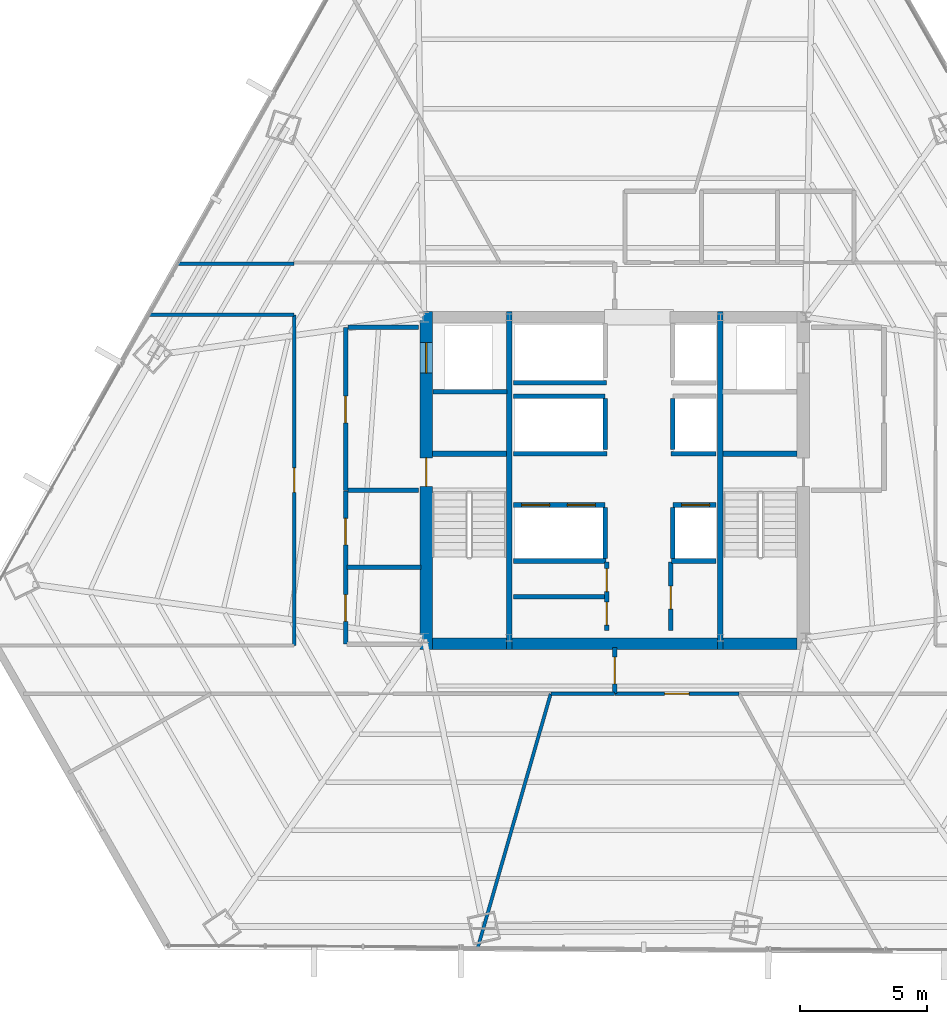
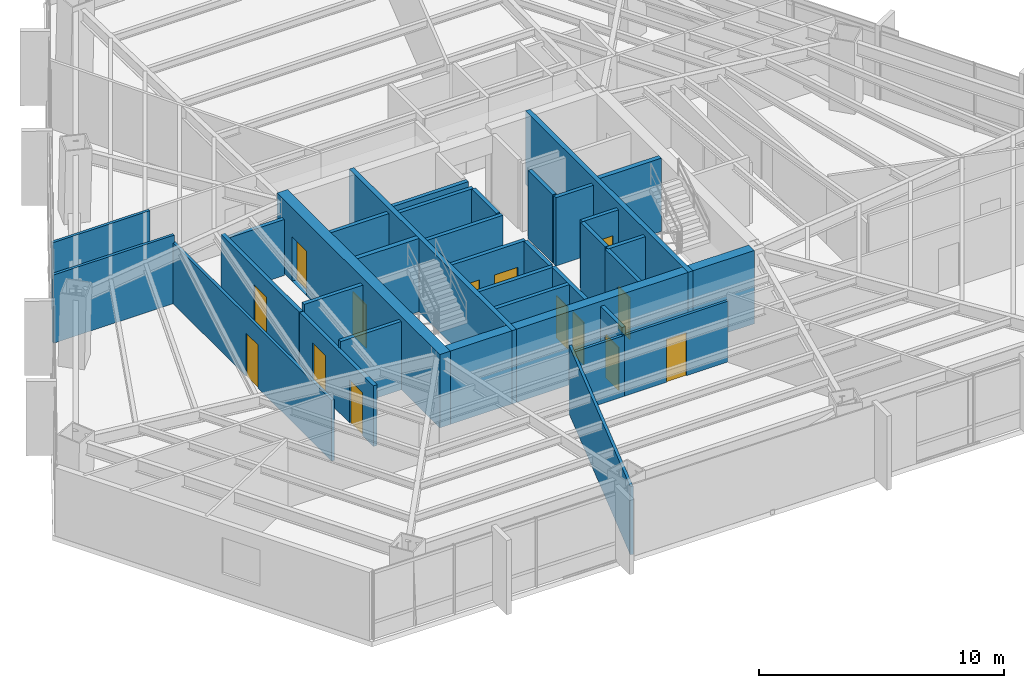
# One storey, part 30 of 35: 36 walls, 14 doors, 14 openings.
"""IFC4 building model written with IfcOpenShell, lengths in metres."""

from ifc_helpers import new_model, si_unit, direction, frame, frame_2d, origin, place, context, subcontext, project, spatial, rectangle, extrude, material, layer, layer_set, type_object, element, fill, save


model = new_model("IFC4")

# Units and contexts
model_context = context("Model", 3, precision=1e-05, world=origin(), true_north=direction((0.0, 1.0)))
body_context = subcontext(model_context, "Body", "Model", "MODEL_VIEW")
ifc_project = project(units=[si_unit("LENGTHUNIT", "METRE"), si_unit("AREAUNIT", "SQUARE_METRE"), si_unit("VOLUMEUNIT", "CUBIC_METRE"), si_unit("PLANEANGLEUNIT", "RADIAN"), si_unit("MASSUNIT", "GRAM", prefix="KILO")], contexts=[model_context])

# Site, building, storey
site_placement = place(None, origin())
site = spatial("IfcSite", under=ifc_project, at=site_placement, CompositionType="ELEMENT")
building_placement = place(site_placement, origin())
building = spatial("IfcBuilding", under=site, at=building_placement, Name="Caelisora Broadcast Tower", CompositionType="ELEMENT")
storey_placement = place(building_placement, frame((0.0, 0.0, 87.14990234375)))
storey = spatial("IfcBuildingStorey", under=building, at=storey_placement, Name="L22", CompositionType="ELEMENT", Elevation=87.14990234375)

# Wall, openings, doors
ifc_material_1 = material(Name="Concrete 50 MPa (AS 3600 S50)", Category="concrete")
ifc_layer_1 = layer(ifc_material_1, 0.5, Name="Concrete 50 MPa (AS 3600 S50)")
ifc_layer_set_1 = layer_set([ifc_layer_1], Name="Concrete 50 MPa (AS 3600 S50)")
wall_type_1 = type_object("IfcWallType", Name="CW2", PredefinedType="SHEAR", material=ifc_layer_set_1)
wall_1_placement = place(storey_placement, frame((30.590087890625, 16.949951171875, 0.0), z_axis=(0.0, 0.0, 1.0), x_axis=(0.0, 1.0, 0.0)))
wall_1 = element("IfcWall", 1, at=wall_1_placement, inside=storey, type_object=wall_type_1, Name="L22 core shear wall CW2", PredefinedType="SHEAR", context=body_context, shape_type="SweptSolid", body=[
    extrude(rectangle(XDim=13.275146484375, YDim=0.5, at=frame_2d((6.6376953125, 0.0))), origin(), (0.0, 0.0, 1.0), 3.650146484375),
])
opening_1_placement = place(wall_1_placement, frame((6.39990234375, 0.0, 0.0)))
opening_1 = element("IfcOpeningElement", 2, at=opening_1_placement, cuts=wall_1, Name="Opening FD04", PredefinedType="OPENING", context=body_context, shape_type="SweptSolid", body=[
    extrude(rectangle(XDim=1.1201171875, YDim=2.14990234375, at=frame_2d((0.56005859375, 1.074951171875))), frame((0.0, 0.261962890625, 0.0), z_axis=(0.0, -1.0, 0.0), x_axis=(1.0, 0.0, 0.0)), (0.0, 0.0, 1.0), 0.52392578125),
])
opening_2_placement = place(wall_1_placement, frame((10.85009765625, 0.0, 0.0)))
opening_2 = element("IfcOpeningElement", 3, at=opening_2_placement, cuts=wall_1, Name="Opening LD04", PredefinedType="OPENING", context=body_context, shape_type="SweptSolid", body=[
    extrude(rectangle(XDim=1.199951171875, YDim=2.199951171875, at=frame_2d((0.60009765625, 1.10009765625))), frame((0.0, 0.261962890625, 0.0), z_axis=(0.0, -1.0, 0.0), x_axis=(1.0, 0.0, 0.0)), (0.0, 0.0, 1.0), 0.52392578125),
])
ifc_material_2 = material(Name="Pressurised Fire-Isolated Stair Door", Category="steel")
door_type_1 = type_object("IfcDoorType", Name="FD04", OperationType="NOTDEFINED", PredefinedType="DOOR", material=ifc_material_2)
door_1_placement = place(opening_1_placement, origin())
door_1 = element("IfcDoor", 4, at=door_1_placement, inside=storey, type_object=door_type_1, Name="L22 door FD04 (L22-DR-ST1)", OperationType="SINGLE_SWING_LEFT", OverallHeight=2.14990234375, OverallWidth=1.1201171875, PredefinedType="DOOR", context=body_context, shape_type="SweptSolid", body=[
    extrude(rectangle(XDim=1.1201171875, YDim=2.14990234375, at=frame_2d((0.56005859375, 1.074951171875))), frame((0.0, 0.02490234375, 0.0), z_axis=(0.0, -1.0, 0.0), x_axis=(1.0, 0.0, 0.0)), (0.0, 0.0, 1.0), 0.050048828125),
])
fill(opening_1, door_1)
ifc_material_3 = material(Name="Emergency Firefighting Lift Sliding Landing Door", Category="steel")
door_type_2 = type_object("IfcDoorType", Name="LD04", OperationType="NOTDEFINED", PredefinedType="DOOR", material=ifc_material_3)
door_2_placement = place(opening_2_placement, origin())
door_2 = element("IfcDoor", 5, at=door_2_placement, inside=storey, type_object=door_type_2, Name="L22 door LD04 (L22-LD-FFL1)", OperationType="SLIDING_TO_LEFT", OverallHeight=2.199951171875, OverallWidth=1.199951171875, PredefinedType="DOOR", context=body_context, shape_type="SweptSolid", body=[
    extrude(rectangle(XDim=1.199951171875, YDim=2.199951171875, at=frame_2d((0.60009765625, 1.10009765625))), frame((0.0, 0.02490234375, 0.0), z_axis=(0.0, -1.0, 0.0), x_axis=(1.0, 0.0, 0.0)), (0.0, 0.0, 1.0), 0.050048828125),
])
fill(opening_2, door_2)

# Walls
ifc_layer_2 = layer(ifc_material_1, 0.449951171875, Name="Concrete 50 MPa (AS 3600 S50)")
ifc_layer_set_2 = layer_set([ifc_layer_2], Name="Concrete 50 MPa (AS 3600 S50)")
wall_type_2 = type_object("IfcWallType", Name="CW5", PredefinedType="SHEAR", material=ifc_layer_set_2)
wall_2_placement = place(storey_placement, frame((30.840087890625, 17.175048828125, 0.0), z_axis=(0.0, 0.0, 1.0), x_axis=(1.0, 0.0, 0.0)))
element("IfcWall", 6, at=wall_2_placement, inside=storey, type_object=wall_type_2, Name="L22 core shear wall CW5", PredefinedType="SHEAR", context=body_context, shape_type="SweptSolid", body=[
    extrude(rectangle(XDim=2.89990234375, YDim=0.449951171875, at=frame_2d((1.449951171875, 0.0))), origin(), (0.0, 0.0, 1.0), 3.650146484375),
])
wall_3_placement = place(storey_placement, frame((33.9599609375, 17.175048828125, 0.0), z_axis=(0.0, 0.0, 1.0), x_axis=(1.0, 0.0, 0.0)))
element("IfcWall", 7, at=wall_3_placement, inside=storey, type_object=wall_type_2, Name="L22 core shear wall CW5", PredefinedType="SHEAR", context=body_context, shape_type="SweptSolid", body=[
    extrude(rectangle(XDim=8.080078125, YDim=0.449951171875, at=frame_2d((4.0400390625, 0.0))), origin(), (0.0, 0.0, 1.0), 3.650146484375),
])
wall_4_placement = place(storey_placement, frame((42.260009765625, 17.175048828125, 0.0), z_axis=(0.0, 0.0, 1.0), x_axis=(1.0, 0.0, 0.0)))
element("IfcWall", 8, at=wall_4_placement, inside=storey, type_object=wall_type_2, Name="L22 core shear wall CW5", PredefinedType="SHEAR", context=body_context, shape_type="SweptSolid", body=[
    extrude(rectangle(XDim=2.89990234375, YDim=0.449951171875, at=frame_2d((1.449951171875, 0.0))), origin(), (0.0, 0.0, 1.0), 3.650146484375),
])
ifc_layer_3 = layer(ifc_material_1, 0.219970703125, Name="Concrete 50 MPa (AS 3600 S50)")
ifc_layer_set_3 = layer_set([ifc_layer_3], Name="Concrete 50 MPa (AS 3600 S50)")
wall_type_3 = type_object("IfcWallType", Name="CW7", PredefinedType="SHEAR", material=ifc_layer_set_3)
for number, where, z_axis, x_axis, name in (
    (9, (33.85009765625, 16.949951171875, 0.0), (0.0, 0.0, 1.0), (0.0, 1.0, 0.0), "L22 core shear wall CW7"),
    (10, (42.14990234375, 16.949951171875, 0.0), (0.0, 0.0, 1.0), (0.0, 1.0, 0.0), "L22 core shear wall CW7"),
):
    element("IfcWall", number, at=place(storey_placement, frame(where, z_axis=z_axis, x_axis=x_axis)), inside=storey, type_object=wall_type_3, Name=name, PredefinedType="SHEAR", context=body_context, shape_type="SweptSolid", body=[
        extrude(rectangle(XDim=13.275146484375, YDim=0.219970703125, at=frame_2d((6.6376953125, 0.0))), origin(), (0.0, 0.0, 1.0), 3.650146484375),
    ])
for number, where, z_axis, x_axis, name in (
    (11, (30.840087890625, 24.639892578125, 0.0), (0.0, 0.0, 1.0), (1.0, 0.0, 0.0), "L22 core shear wall CW7"),
    (12, (42.260009765625, 24.639892578125, 0.0), (0.0, 0.0, 1.0), (1.0, 0.0, 0.0), "L22 core shear wall CW7"),
):
    element("IfcWall", number, at=place(storey_placement, frame(where, z_axis=z_axis, x_axis=x_axis)), inside=storey, type_object=wall_type_3, Name=name, PredefinedType="SHEAR", context=body_context, shape_type="SweptSolid", body=[
        extrude(rectangle(XDim=2.89990234375, YDim=0.219970703125, at=frame_2d((1.449951171875, 0.0))), origin(), (0.0, 0.0, 1.0), 3.650146484375),
    ])

# Wall, openings, doors
ifc_material_4 = material(Name="Fire-Rated Gypsum Shaft and Compartment Wall", Category="gypsum")
ifc_layer_4 = layer(ifc_material_4, 0.179931640625, Name="Fire-Rated Gypsum Shaft and Compartment Wall")
ifc_layer_set_4 = layer_set([ifc_layer_4], Name="Fire-Rated Gypsum Shaft and Compartment Wall")
wall_type_4 = type_object("IfcWallType", Name="PW2", PredefinedType="PARTITIONING", material=ifc_layer_set_4)
wall_5_placement = place(storey_placement, frame((34.02001953125, 22.6201171875, 0.0), z_axis=(0.0, 0.0, 1.0), x_axis=(1.0, 0.0, 0.0)))
wall_5 = element("IfcWall", 13, at=wall_5_placement, inside=storey, type_object=wall_type_4, Name="L22 fire compartment wall PW2", PredefinedType="PARTITIONING", context=body_context, shape_type="SweptSolid", body=[
    extrude(rectangle(XDim=3.60009765625, YDim=0.179931640625, at=frame_2d((1.800048828125, 0.0))), origin(), (0.0, 0.0, 1.0), 3.400146484375),
])
opening_3_placement = place(wall_5_placement, frame((0.320068359375, 0.0, 0.0)))
opening_3 = element("IfcOpeningElement", 14, at=opening_3_placement, cuts=wall_5, Name="Opening LD01", PredefinedType="OPENING", context=body_context, shape_type="SweptSolid", body=[
    extrude(rectangle(XDim=1.10009765625, YDim=2.199951171875, at=frame_2d((0.550048828125, 1.10009765625))), frame((0.0, 0.10205078125, 0.0), z_axis=(0.0, -1.0, 0.0), x_axis=(1.0, 0.0, 0.0)), (0.0, 0.0, 1.0), 0.203857421875),
])
opening_4_placement = place(wall_5_placement, frame((2.1201171875, 0.0, 0.0)))
opening_4 = element("IfcOpeningElement", 15, at=opening_4_placement, cuts=wall_5, Name="Opening LD01", PredefinedType="OPENING", context=body_context, shape_type="SweptSolid", body=[
    extrude(rectangle(XDim=1.10009765625, YDim=2.199951171875, at=frame_2d((0.550048828125, 1.10009765625))), frame((0.0, 0.10205078125, 0.0), z_axis=(0.0, -1.0, 0.0), x_axis=(1.0, 0.0, 0.0)), (0.0, 0.0, 1.0), 0.203857421875),
])
ifc_material_5 = material(Name="Stainless Steel Centre-Parting Lift Landing Door", Category="steel")
door_type_3 = type_object("IfcDoorType", Name="LD01", OperationType="NOTDEFINED", PredefinedType="DOOR", material=ifc_material_5)
door_3_placement = place(opening_3_placement, origin())
door_3 = element("IfcDoor", 16, at=door_3_placement, inside=storey, type_object=door_type_3, Name="L22 door LD01 (L22-LD-PLL1)", OperationType="SLIDING_TO_LEFT", OverallHeight=2.199951171875, OverallWidth=1.10009765625, PredefinedType="DOOR", context=body_context, shape_type="SweptSolid", body=[
    extrude(rectangle(XDim=1.10009765625, YDim=2.199951171875, at=frame_2d((0.550048828125, 1.10009765625))), frame((0.0, 0.02490234375, 0.0), z_axis=(0.0, -1.0, 0.0), x_axis=(1.0, 0.0, 0.0)), (0.0, 0.0, 1.0), 0.050048828125),
])
fill(opening_3, door_3)
door_4_placement = place(opening_4_placement, origin())
door_4 = element("IfcDoor", 17, at=door_4_placement, inside=storey, type_object=door_type_3, Name="L22 door LD01 (L22-LD-PLL2)", OperationType="SLIDING_TO_RIGHT", OverallHeight=2.199951171875, OverallWidth=1.10009765625, PredefinedType="DOOR", context=body_context, shape_type="SweptSolid", body=[
    extrude(rectangle(XDim=1.10009765625, YDim=2.199951171875, at=frame_2d((0.550048828125, 1.10009765625))), frame((0.0, 0.02490234375, 0.0), z_axis=(0.0, -1.0, 0.0), x_axis=(1.0, 0.0, 0.0)), (0.0, 0.0, 1.0), 0.050048828125),
])
fill(opening_4, door_4)

# Wall, opening, door
wall_6_placement = place(storey_placement, frame((40.280029296875, 22.6201171875, 0.0), z_axis=(0.0, 0.0, 1.0), x_axis=(1.0, 0.0, 0.0)))
wall_6 = element("IfcWall", 18, at=wall_6_placement, inside=storey, type_object=wall_type_4, Name="L22 fire compartment wall PW2", PredefinedType="PARTITIONING", context=body_context, shape_type="SweptSolid", body=[
    extrude(rectangle(XDim=1.699951171875, YDim=0.179931640625, at=frame_2d((0.85009765625, 0.0))), origin(), (0.0, 0.0, 1.0), 3.400146484375),
])
opening_5_placement = place(wall_6_placement, frame((0.35009765625, 0.0, 0.0)))
opening_5 = element("IfcOpeningElement", 19, at=opening_5_placement, cuts=wall_6, Name="Opening LD01", PredefinedType="OPENING", context=body_context, shape_type="SweptSolid", body=[
    extrude(rectangle(XDim=1.10009765625, YDim=2.199951171875, at=frame_2d((0.550048828125, 1.10009765625))), frame((0.0, 0.10205078125, 0.0), z_axis=(0.0, -1.0, 0.0), x_axis=(1.0, 0.0, 0.0)), (0.0, 0.0, 1.0), 0.203857421875),
])
door_5_placement = place(opening_5_placement, origin())
door_5 = element("IfcDoor", 20, at=door_5_placement, inside=storey, type_object=door_type_3, Name="L22 door LD01 (L22-LD-PLL3)", OperationType="SLIDING_TO_LEFT", OverallHeight=2.199951171875, OverallWidth=1.10009765625, PredefinedType="DOOR", context=body_context, shape_type="SweptSolid", body=[
    extrude(rectangle(XDim=1.10009765625, YDim=2.199951171875, at=frame_2d((0.550048828125, 1.10009765625))), frame((0.0, 0.02490234375, 0.0), z_axis=(0.0, -1.0, 0.0), x_axis=(1.0, 0.0, 0.0)), (0.0, 0.0, 1.0), 0.050048828125),
])
fill(opening_5, door_5)

# Walls
for number, where, z_axis, x_axis, name in (
    (21, (37.6201171875, 20.52001953125, 0.0), (0.0, 0.0, 1.0), (0.0, 1.0, 0.0), "L22 fire compartment wall PW2"),
    (22, (40.280029296875, 20.52001953125, 0.0), (0.0, 0.0, 1.0), (0.0, 1.0, 0.0), "L22 fire compartment wall PW2"),
):
    element("IfcWall", number, at=place(storey_placement, frame(where, z_axis=z_axis, x_axis=x_axis)), inside=storey, type_object=wall_type_4, Name=name, PredefinedType="PARTITIONING", context=body_context, shape_type="SweptSolid", body=[
        extrude(rectangle(XDim=2.0, YDim=0.179931640625, at=frame_2d((1.0, 0.0))), origin(), (0.0, 0.0, 1.0), 3.400146484375),
    ])
wall_7_placement = place(storey_placement, frame((34.02001953125, 26.89990234375, 0.0), z_axis=(0.0, 0.0, 1.0), x_axis=(1.0, 0.0, 0.0)))
element("IfcWall", 23, at=wall_7_placement, inside=storey, type_object=wall_type_4, Name="L22 fire compartment wall PW2", PredefinedType="PARTITIONING", context=body_context, shape_type="SweptSolid", body=[
    extrude(rectangle(XDim=3.60009765625, YDim=0.179931640625, at=frame_2d((1.800048828125, 0.0))), origin(), (0.0, 0.0, 1.0), 3.400146484375),
])
for number, where, z_axis, x_axis, name in (
    (24, (37.6201171875, 24.800048828125, 0.0), (0.0, 0.0, 1.0), (0.0, 1.0, 0.0), "L22 fire compartment wall PW2"),
    (25, (40.280029296875, 24.800048828125, 0.0), (0.0, 0.0, 1.0), (0.0, 1.0, 0.0), "L22 fire compartment wall PW2"),
):
    element("IfcWall", number, at=place(storey_placement, frame(where, z_axis=z_axis, x_axis=x_axis)), inside=storey, type_object=wall_type_4, Name=name, PredefinedType="PARTITIONING", context=body_context, shape_type="SweptSolid", body=[
        extrude(rectangle(XDim=2.0, YDim=0.179931640625, at=frame_2d((1.0, 0.0))), origin(), (0.0, 0.0, 1.0), 3.400146484375),
    ])
wall_8_placement = place(storey_placement, frame((34.02001953125, 24.639892578125, 0.0), z_axis=(0.0, 0.0, 1.0), x_axis=(1.0, 0.0, 0.0)))
element("IfcWall", 26, at=wall_8_placement, inside=storey, type_object=wall_type_4, Name="L22 fire compartment wall PW2", PredefinedType="PARTITIONING", context=body_context, shape_type="SweptSolid", body=[
    extrude(rectangle(XDim=3.679931640625, YDim=0.179931640625, at=frame_2d((1.83984375, 0.0))), origin(), (0.0, 0.0, 1.0), 3.400146484375),
])
wall_9_placement = place(storey_placement, frame((40.199951171875, 24.639892578125, 0.0), z_axis=(0.0, 0.0, 1.0), x_axis=(1.0, 0.0, 0.0)))
element("IfcWall", 27, at=wall_9_placement, inside=storey, type_object=wall_type_4, Name="L22 fire compartment wall PW2", PredefinedType="PARTITIONING", context=body_context, shape_type="SweptSolid", body=[
    extrude(rectangle(XDim=1.780029296875, YDim=0.179931640625, at=frame_2d((0.89013671875, 0.0))), origin(), (0.0, 0.0, 1.0), 3.400146484375),
])
wall_10_placement = place(storey_placement, frame((34.02001953125, 27.419921875, 0.0), z_axis=(0.0, 0.0, 1.0), x_axis=(1.0, 0.0, 0.0)))
element("IfcWall", 28, at=wall_10_placement, inside=storey, type_object=wall_type_4, Name="L22 fire compartment wall PW2", PredefinedType="PARTITIONING", context=body_context, shape_type="SweptSolid", body=[
    extrude(rectangle(XDim=3.659912109375, YDim=0.179931640625, at=frame_2d((1.830078125, 0.0))), origin(), (0.0, 0.0, 1.0), 3.400146484375),
])

# Wall, opening, door
wall_11_placement = place(storey_placement, frame((27.419921875, 23.199951171875, 0.0), z_axis=(0.0, 0.0, 1.0), x_axis=(0.0, 1.0, 0.0)))
wall_11 = element("IfcWall", 29, at=wall_11_placement, inside=storey, type_object=wall_type_4, Name="L22 fire compartment wall PW2", PredefinedType="PARTITIONING", context=body_context, shape_type="SweptSolid", body=[
    extrude(rectangle(XDim=6.400146484375, YDim=0.179931640625, at=frame_2d((3.2001953125, 0.0))), origin(), (0.0, 0.0, 1.0), 3.026611328125),
])
opening_6_placement = place(wall_11_placement, frame((2.64990234375, 0.0, 0.0)))
opening_6 = element("IfcOpeningElement", 30, at=opening_6_placement, cuts=wall_11, Name="Opening FD02", PredefinedType="OPENING", context=body_context, shape_type="SweptSolid", body=[
    extrude(rectangle(XDim=1.050048828125, YDim=2.14990234375, at=frame_2d((0.52490234375, 1.074951171875))), frame((0.0, 0.10205078125, 0.0), z_axis=(0.0, -1.0, 0.0), x_axis=(1.0, 0.0, 0.0)), (0.0, 0.0, 1.0), 0.203857421875),
])
ifc_material_6 = material(Name="Single-Leaf Steel Fire Lobby Door", Category="steel")
door_type_4 = type_object("IfcDoorType", Name="FD02", OperationType="NOTDEFINED", PredefinedType="DOOR", material=ifc_material_6)
door_6_placement = place(opening_6_placement, origin())
door_6 = element("IfcDoor", 31, at=door_6_placement, inside=storey, type_object=door_type_4, Name="L22 door FD02 (L22-DR-P01D1)", OperationType="SINGLE_SWING_LEFT", OverallHeight=2.14990234375, OverallWidth=1.050048828125, PredefinedType="DOOR", context=body_context, shape_type="SweptSolid", body=[
    extrude(rectangle(XDim=1.050048828125, YDim=2.14990234375, at=frame_2d((0.52490234375, 1.074951171875))), frame((0.0, 0.02490234375, 0.0), z_axis=(0.0, -1.0, 0.0), x_axis=(1.0, 0.0, 0.0)), (0.0, 0.0, 1.0), 0.050048828125),
])
fill(opening_6, door_6)

# Walls
wall_12_placement = place(storey_placement, frame((27.52001953125, 23.199951171875, 0.0), z_axis=(0.0, 0.0, 1.0), x_axis=(1.0, 0.0, 0.0)))
element("IfcWall", 32, at=wall_12_placement, inside=storey, type_object=wall_type_4, Name="L22 fire compartment wall PW2", PredefinedType="PARTITIONING", context=body_context, shape_type="SweptSolid", body=[
    extrude(rectangle(XDim=2.760009765625, YDim=0.179931640625, at=frame_2d((1.3798828125, 0.0))), origin(), (0.0, 0.0, 1.0), 3.400146484375),
])
wall_13_placement = place(storey_placement, frame((27.52001953125, 29.60009765625, 0.0), z_axis=(0.0, 0.0, 1.0), x_axis=(1.0, 0.0, 0.0)))
element("IfcWall", 33, at=wall_13_placement, inside=storey, type_object=wall_type_4, Name="L22 fire compartment wall PW2", PredefinedType="PARTITIONING", context=body_context, shape_type="SweptSolid", body=[
    extrude(rectangle(XDim=2.760009765625, YDim=0.179931640625, at=frame_2d((1.3798828125, 0.0))), origin(), (0.0, 0.0, 1.0), 2.782958984375),
])
wall_14_placement = place(storey_placement, frame((30.860107421875, 27.070068359375, 0.0), z_axis=(0.0, 0.0, 1.0), x_axis=(1.0, 0.0, 0.0)))
element("IfcWall", 34, at=wall_14_placement, inside=storey, type_object=wall_type_4, Name="L22 fire compartment wall PW2", PredefinedType="PARTITIONING", context=body_context, shape_type="SweptSolid", body=[
    extrude(rectangle(XDim=2.89990234375, YDim=0.179931640625, at=frame_2d((1.449951171875, 0.0))), origin(), (0.0, 0.0, 1.0), 3.400146484375),
])
wall_15_placement = place(storey_placement, frame((34.02001953125, 20.419921875, 0.0), z_axis=(0.0, 0.0, 1.0), x_axis=(1.0, 0.0, 0.0)))
element("IfcWall", 35, at=wall_15_placement, inside=storey, type_object=wall_type_4, Name="L22 fire compartment wall PW2", PredefinedType="PARTITIONING", context=body_context, shape_type="SweptSolid", body=[
    extrude(rectangle(XDim=3.639892578125, YDim=0.179931640625, at=frame_2d((1.81982421875, 0.0))), origin(), (0.0, 0.0, 1.0), 3.400146484375),
])
wall_16_placement = place(storey_placement, frame((40.219970703125, 20.419921875, 0.0), z_axis=(0.0, 0.0, 1.0), x_axis=(1.0, 0.0, 0.0)))
element("IfcWall", 36, at=wall_16_placement, inside=storey, type_object=wall_type_4, Name="L22 fire compartment wall PW2", PredefinedType="PARTITIONING", context=body_context, shape_type="SweptSolid", body=[
    extrude(rectangle(XDim=1.760009765625, YDim=0.179931640625, at=frame_2d((0.8798828125, 0.0))), origin(), (0.0, 0.0, 1.0), 3.400146484375),
])
wall_17_placement = place(storey_placement, frame((34.02001953125, 19.02001953125, 0.0), z_axis=(0.0, 0.0, 1.0), x_axis=(1.0, 0.0, 0.0)))
element("IfcWall", 37, at=wall_17_placement, inside=storey, type_object=wall_type_4, Name="L22 fire compartment wall PW2", PredefinedType="PARTITIONING", context=body_context, shape_type="SweptSolid", body=[
    extrude(rectangle(XDim=3.580078125, YDim=0.179931640625, at=frame_2d((1.7900390625, 0.0))), origin(), (0.0, 0.0, 1.0), 3.400146484375),
])

# Wall, openings, doors
wall_18_placement = place(storey_placement, frame((37.679931640625, 17.679931640625, 0.0), z_axis=(0.0, 0.0, 1.0), x_axis=(0.0, 1.0, 0.0)))
wall_18 = element("IfcWall", 38, at=wall_18_placement, inside=storey, type_object=wall_type_4, Name="L22 fire compartment wall PW2", PredefinedType="PARTITIONING", context=body_context, shape_type="SweptSolid", body=[
    extrude(rectangle(XDim=2.699951171875, YDim=0.179931640625, at=frame_2d((1.35009765625, 0.0))), origin(), (0.0, 0.0, 1.0), 3.400146484375),
])
opening_7_placement = place(wall_18_placement, frame((0.219970703125, 0.0, 0.0)))
opening_7 = element("IfcOpeningElement", 39, at=opening_7_placement, cuts=wall_18, Name="Opening FD03", PredefinedType="OPENING", context=body_context, shape_type="SweptSolid", body=[
    extrude(rectangle(XDim=0.89990234375, YDim=2.10009765625, at=frame_2d((0.449951171875, 1.050048828125))), frame((0.0, 0.10205078125, 0.0), z_axis=(0.0, -1.0, 0.0), x_axis=(1.0, 0.0, 0.0)), (0.0, 0.0, 1.0), 0.203857421875),
])
opening_8_placement = place(wall_18_placement, frame((1.5400390625, 0.0, 0.0)))
opening_8 = element("IfcOpeningElement", 40, at=opening_8_placement, cuts=wall_18, Name="Opening FD03", PredefinedType="OPENING", context=body_context, shape_type="SweptSolid", body=[
    extrude(rectangle(XDim=0.89990234375, YDim=2.10009765625, at=frame_2d((0.449951171875, 1.050048828125))), frame((0.0, 0.10205078125, 0.0), z_axis=(0.0, -1.0, 0.0), x_axis=(1.0, 0.0, 0.0)), (0.0, 0.0, 1.0), 0.203857421875),
])
ifc_material_7 = material(Name="Single-Leaf Steel Riser Fire Access Door", Category="steel")
door_type_5 = type_object("IfcDoorType", Name="FD03", OperationType="NOTDEFINED", PredefinedType="DOOR", material=ifc_material_7)
door_7_placement = place(opening_7_placement, origin())
door_7 = element("IfcDoor", 41, at=door_7_placement, inside=storey, type_object=door_type_5, Name="L22 door FD03 (L22-DR-P12D1)", OperationType="SINGLE_SWING_LEFT", OverallHeight=2.10009765625, OverallWidth=0.89990234375, PredefinedType="DOOR", context=body_context, shape_type="SweptSolid", body=[
    extrude(rectangle(XDim=0.89990234375, YDim=2.10009765625, at=frame_2d((0.449951171875, 1.050048828125))), frame((0.0, 0.02490234375, 0.0), z_axis=(0.0, -1.0, 0.0), x_axis=(1.0, 0.0, 0.0)), (0.0, 0.0, 1.0), 0.050048828125),
])
fill(opening_7, door_7)
door_8_placement = place(opening_8_placement, origin())
door_8 = element("IfcDoor", 42, at=door_8_placement, inside=storey, type_object=door_type_5, Name="L22 door FD03 (L22-DR-P12D2)", OperationType="SINGLE_SWING_RIGHT", OverallHeight=2.10009765625, OverallWidth=0.89990234375, PredefinedType="DOOR", context=body_context, shape_type="SweptSolid", body=[
    extrude(rectangle(XDim=0.89990234375, YDim=2.10009765625, at=frame_2d((0.449951171875, 1.050048828125))), frame((0.0, 0.02490234375, 0.0), z_axis=(0.0, -1.0, 0.0), x_axis=(1.0, 0.0, 0.0)), (0.0, 0.0, 1.0), 0.050048828125),
])
fill(opening_8, door_8)

# Wall, opening, door
wall_19_placement = place(storey_placement, frame((40.199951171875, 17.679931640625, 0.0), z_axis=(0.0, 0.0, 1.0), x_axis=(0.0, 1.0, 0.0)))
wall_19 = element("IfcWall", 43, at=wall_19_placement, inside=storey, type_object=wall_type_4, Name="L22 fire compartment wall PW2", PredefinedType="PARTITIONING", context=body_context, shape_type="SweptSolid", body=[
    extrude(rectangle(XDim=2.699951171875, YDim=0.179931640625, at=frame_2d((1.35009765625, 0.0))), origin(), (0.0, 0.0, 1.0), 3.400146484375),
])
opening_9_placement = place(wall_19_placement, frame((0.85009765625, 0.0, 0.0)))
opening_9 = element("IfcOpeningElement", 44, at=opening_9_placement, cuts=wall_19, Name="Opening FD03", PredefinedType="OPENING", context=body_context, shape_type="SweptSolid", body=[
    extrude(rectangle(XDim=0.89990234375, YDim=2.10009765625, at=frame_2d((0.449951171875, 1.050048828125))), frame((0.0, 0.10205078125, 0.0), z_axis=(0.0, -1.0, 0.0), x_axis=(1.0, 0.0, 0.0)), (0.0, 0.0, 1.0), 0.203857421875),
])
door_9_placement = place(opening_9_placement, origin())
door_9 = element("IfcDoor", 45, at=door_9_placement, inside=storey, type_object=door_type_5, Name="L22 door FD03 (L22-DR-P13D1)", OperationType="SINGLE_SWING_LEFT", OverallHeight=2.10009765625, OverallWidth=0.89990234375, PredefinedType="DOOR", context=body_context, shape_type="SweptSolid", body=[
    extrude(rectangle(XDim=0.89990234375, YDim=2.10009765625, at=frame_2d((0.449951171875, 1.050048828125))), frame((0.0, 0.02490234375, 0.0), z_axis=(0.0, -1.0, 0.0), x_axis=(1.0, 0.0, 0.0)), (0.0, 0.0, 1.0), 0.050048828125),
])
fill(opening_9, door_9)

# Wall
wall_20_placement = place(storey_placement, frame((27.47998046875, 20.169921875, 0.0), z_axis=(0.0, 0.0, 1.0), x_axis=(1.0, 0.0, 0.0)))
element("IfcWall", 46, at=wall_20_placement, inside=storey, type_object=wall_type_4, Name="L22 fire compartment wall PW2", PredefinedType="PARTITIONING", context=body_context, shape_type="SweptSolid", body=[
    extrude(rectangle(XDim=2.89990234375, YDim=0.179931640625, at=frame_2d((1.449951171875, 0.0))), origin(), (0.0, 0.0, 1.0), 3.400146484375),
])

# Wall, openings, doors
wall_21_placement = place(storey_placement, frame((27.419921875, 17.14990234375, 0.0), z_axis=(0.0, 0.0, 1.0), x_axis=(0.0, 1.0, 0.0)))
wall_21 = element("IfcWall", 47, at=wall_21_placement, inside=storey, type_object=wall_type_4, Name="L22 fire compartment wall PW2", PredefinedType="PARTITIONING", context=body_context, shape_type="SweptSolid", body=[
    extrude(rectangle(XDim=6.030029296875, YDim=0.179931640625, at=frame_2d((3.01513671875, 0.0))), origin(), (0.0, 0.0, 1.0), 3.026611328125),
])
opening_10_placement = place(wall_21_placement, frame((0.89990234375, 0.0, 0.0)))
opening_10 = element("IfcOpeningElement", 48, at=opening_10_placement, cuts=wall_21, Name="Opening FD02", PredefinedType="OPENING", context=body_context, shape_type="SweptSolid", body=[
    extrude(rectangle(XDim=1.050048828125, YDim=2.14990234375, at=frame_2d((0.52490234375, 1.074951171875))), frame((0.0, 0.10205078125, 0.0), z_axis=(0.0, -1.0, 0.0), x_axis=(1.0, 0.0, 0.0)), (0.0, 0.0, 1.0), 0.203857421875),
])
opening_11_placement = place(wall_21_placement, frame((3.89990234375, 0.0, 0.0)))
opening_11 = element("IfcOpeningElement", 49, at=opening_11_placement, cuts=wall_21, Name="Opening FD02", PredefinedType="OPENING", context=body_context, shape_type="SweptSolid", body=[
    extrude(rectangle(XDim=1.050048828125, YDim=2.14990234375, at=frame_2d((0.52490234375, 1.074951171875))), frame((0.0, 0.10205078125, 0.0), z_axis=(0.0, -1.0, 0.0), x_axis=(1.0, 0.0, 0.0)), (0.0, 0.0, 1.0), 0.203857421875),
])
door_10_placement = place(opening_10_placement, origin())
door_10 = element("IfcDoor", 50, at=door_10_placement, inside=storey, type_object=door_type_4, Name="L22 door FD02 (L22-DR-P15D1)", OperationType="SINGLE_SWING_RIGHT", OverallHeight=2.14990234375, OverallWidth=1.050048828125, PredefinedType="DOOR", context=body_context, shape_type="SweptSolid", body=[
    extrude(rectangle(XDim=1.050048828125, YDim=2.14990234375, at=frame_2d((0.52490234375, 1.074951171875))), frame((0.0, 0.02490234375, 0.0), z_axis=(0.0, -1.0, 0.0), x_axis=(1.0, 0.0, 0.0)), (0.0, 0.0, 1.0), 0.050048828125),
])
fill(opening_10, door_10)
door_11_placement = place(opening_11_placement, origin())
door_11 = element("IfcDoor", 51, at=door_11_placement, inside=storey, type_object=door_type_4, Name="L22 door FD02 (L22-DR-P15D2)", OperationType="SINGLE_SWING_LEFT", OverallHeight=2.14990234375, OverallWidth=1.050048828125, PredefinedType="DOOR", context=body_context, shape_type="SweptSolid", body=[
    extrude(rectangle(XDim=1.050048828125, YDim=2.14990234375, at=frame_2d((0.52490234375, 1.074951171875))), frame((0.0, 0.02490234375, 0.0), z_axis=(0.0, -1.0, 0.0), x_axis=(1.0, 0.0, 0.0)), (0.0, 0.0, 1.0), 0.050048828125),
])
fill(opening_11, door_11)

# Wall, opening, door
wall_22_placement = place(storey_placement, frame((38.0, 15.205078125, 0.0), z_axis=(0.0, 0.0, 1.0), x_axis=(0.0, 1.0, 0.0)))
wall_22 = element("IfcWall", 52, at=wall_22_placement, inside=storey, type_object=wall_type_4, Name="L22 fire compartment wall PW2", PredefinedType="PARTITIONING", context=body_context, shape_type="SweptSolid", body=[
    extrude(rectangle(XDim=1.81982421875, YDim=0.179931640625, at=frame_2d((0.909912109375, 0.0))), origin(), (0.0, 0.0, 1.0), 3.400146484375),
])
opening_12_placement = place(wall_22_placement, frame((0.385009765625, 0.0, 0.0)))
opening_12 = element("IfcOpeningElement", 53, at=opening_12_placement, cuts=wall_22, Name="Opening FD02", PredefinedType="OPENING", context=body_context, shape_type="SweptSolid", body=[
    extrude(rectangle(XDim=1.050048828125, YDim=2.14990234375, at=frame_2d((0.52490234375, 1.074951171875))), frame((0.0, 0.10205078125, 0.0), z_axis=(0.0, -1.0, 0.0), x_axis=(1.0, 0.0, 0.0)), (0.0, 0.0, 1.0), 0.203857421875),
])
door_12_placement = place(opening_12_placement, origin())
door_12 = element("IfcDoor", 54, at=door_12_placement, inside=storey, type_object=door_type_4, Name="L22 door FD02 (L22-DR-P51D1)", OperationType="SINGLE_SWING_RIGHT", OverallHeight=2.14990234375, OverallWidth=1.050048828125, PredefinedType="DOOR", context=body_context, shape_type="SweptSolid", body=[
    extrude(rectangle(XDim=1.050048828125, YDim=2.14990234375, at=frame_2d((0.52490234375, 1.074951171875))), frame((0.0, 0.02490234375, 0.0), z_axis=(0.0, -1.0, 0.0), x_axis=(1.0, 0.0, 0.0)), (0.0, 0.0, 1.0), 0.050048828125),
])
fill(opening_12, door_12)

ifc_material_8 = material(Name="Acoustic Steel-Stud Plasterboard Partition", Category="gypsum")
ifc_layer_5 = layer(ifc_material_8, 0.1298828125, Name="Acoustic Steel-Stud Plasterboard Partition")
ifc_layer_set_5 = layer_set([ifc_layer_5], Name="Acoustic Steel-Stud Plasterboard Partition")
wall_type_5 = type_object("IfcWallType", Name="PW3", PredefinedType="PARTITIONING", material=ifc_layer_set_5)
wall_23_placement = place(storey_placement, frame((25.39990234375, 17.10498046875, 0.0), z_axis=(0.0, 0.0, 1.0), x_axis=(0.0, 1.0, 0.0)))
wall_23 = element("IfcWall", 55, at=wall_23_placement, inside=storey, type_object=wall_type_5, Name="L22 internal partition PW3", PredefinedType="PARTITIONING", context=body_context, shape_type="SweptSolid", body=[
    extrude(rectangle(XDim=12.989990234375, YDim=0.1298828125, at=frame_2d((6.4951171875, 0.0))), origin(), (0.0, 0.0, 1.0), 3.026611328125),
])
opening_13_placement = place(wall_23_placement, frame((6.014892578125, 0.0, 0.0)))
opening_13 = element("IfcOpeningElement", 56, at=opening_13_placement, cuts=wall_23, Name="Opening D01", PredefinedType="OPENING", context=body_context, shape_type="SweptSolid", body=[
    extrude(rectangle(XDim=0.9599609375, YDim=2.14990234375, at=frame_2d((0.47998046875, 1.074951171875))), frame((0.0, 0.076904296875, 0.0), z_axis=(0.0, -1.0, 0.0), x_axis=(1.0, 0.0, 0.0)), (0.0, 0.0, 1.0), 0.15380859375),
])
ifc_material_9 = material(Name="Solid-Core Timber Acoustic Office Door", Category="wood")
door_type_6 = type_object("IfcDoorType", Name="D01", OperationType="NOTDEFINED", PredefinedType="DOOR", material=ifc_material_9)
door_13_placement = place(opening_13_placement, origin())
door_13 = element("IfcDoor", 57, at=door_13_placement, inside=storey, type_object=door_type_6, Name="L22 door D01 (L22-DR-P30D1)", OperationType="SINGLE_SWING_LEFT", OverallHeight=2.14990234375, OverallWidth=0.9599609375, PredefinedType="DOOR", context=body_context, shape_type="SweptSolid", body=[
    extrude(rectangle(XDim=0.9599609375, YDim=2.14990234375, at=frame_2d((0.47998046875, 1.074951171875))), frame((0.0, 0.02490234375, 0.0), z_axis=(0.0, -1.0, 0.0), x_axis=(1.0, 0.0, 0.0)), (0.0, 0.0, 1.0), 0.050048828125),
])
fill(opening_13, door_13)

# Walls
wall_24_placement = place(storey_placement, frame((32.6171875, 5.234619140625, 0.0), z_axis=(0.0, 0.0, 1.0), x_axis=(0.276145857686, 0.961115739796, 0.0)))
element("IfcWall", 58, at=wall_24_placement, inside=storey, type_object=wall_type_5, Name="L22 internal partition PW3", PredefinedType="PARTITIONING", context=body_context, shape_type="SweptSolid", body=[
    extrude(rectangle(XDim=10.363525390625, YDim=0.1298828125, at=frame_2d((5.181640625, 0.0))), origin(), (0.0, 0.0, 1.0), 3.400146484375),
])
wall_25_placement = place(storey_placement, frame((25.39501953125, 30.10009765625, 0.0), z_axis=(0.0, 0.0, 1.0), x_axis=(-1.0, 0.0, 0.0)))
element("IfcWall", 59, at=wall_25_placement, inside=storey, type_object=wall_type_5, Name="L22 internal partition PW3", PredefinedType="PARTITIONING", context=body_context, shape_type="SweptSolid", body=[
    extrude(rectangle(XDim=5.68212890625, YDim=0.1298828125, at=frame_2d((2.841064453125, 0.0))), origin(), (0.0, 0.0, 1.0), 3.400146484375),
])

# Wall, opening, door
wall_26_placement = place(storey_placement, frame((38.0048828125, 15.199951171875, 0.0), z_axis=(0.0, 0.0, 1.0), x_axis=(1.0, 0.0, 0.0)))
wall_26 = element("IfcWall", 60, at=wall_26_placement, inside=storey, type_object=wall_type_5, Name="L22 internal partition PW3", PredefinedType="PARTITIONING", context=body_context, shape_type="SweptSolid", body=[
    extrude(rectangle(XDim=4.8701171875, YDim=0.1298828125, at=frame_2d((2.43505859375, 0.0))), origin(), (0.0, 0.0, 1.0), 3.026611328125),
])
opening_14_placement = place(wall_26_placement, frame((1.955078125, 0.0, 0.0)))
opening_14 = element("IfcOpeningElement", 61, at=opening_14_placement, cuts=wall_26, Name="Opening D01", PredefinedType="OPENING", context=body_context, shape_type="SweptSolid", body=[
    extrude(rectangle(XDim=0.9599609375, YDim=2.14990234375, at=frame_2d((0.47998046875, 1.074951171875))), frame((0.0, 0.076904296875, 0.0), z_axis=(0.0, -1.0, 0.0), x_axis=(1.0, 0.0, 0.0)), (0.0, 0.0, 1.0), 0.15380859375),
])
door_14_placement = place(opening_14_placement, origin())
door_14 = element("IfcDoor", 62, at=door_14_placement, inside=storey, type_object=door_type_6, Name="L22 door D01 (L22-DR-P44D1)", OperationType="SINGLE_SWING_RIGHT", OverallHeight=2.14990234375, OverallWidth=0.9599609375, PredefinedType="DOOR", context=body_context, shape_type="SweptSolid", body=[
    extrude(rectangle(XDim=0.9599609375, YDim=2.14990234375, at=frame_2d((0.47998046875, 1.074951171875))), frame((0.0, 0.02490234375, 0.0), z_axis=(0.0, -1.0, 0.0), x_axis=(1.0, 0.0, 0.0)), (0.0, 0.0, 1.0), 0.050048828125),
])
fill(opening_14, door_14)

# Walls
wall_27_placement = place(storey_placement, frame((20.84228515625, 32.10009765625, 0.0), z_axis=(0.0, 0.0, 1.0), x_axis=(1.0, 0.0, 0.0)))
element("IfcWall", 63, at=wall_27_placement, inside=storey, type_object=wall_type_5, Name="L22 internal partition PW3", PredefinedType="PARTITIONING", context=body_context, shape_type="SweptSolid", body=[
    extrude(rectangle(XDim=4.552734375, YDim=0.1298828125, at=frame_2d((2.2763671875, 0.0))), origin(), (0.0, 0.0, 1.0), 3.400146484375),
])
wall_28_placement = place(storey_placement, frame((35.485107421875, 15.199951171875, 0.0), z_axis=(0.0, 0.0, 1.0), x_axis=(1.0, 0.0, 0.0)))
element("IfcWall", 64, at=wall_28_placement, inside=storey, type_object=wall_type_5, Name="L22 internal partition PW3", PredefinedType="PARTITIONING", context=body_context, shape_type="SweptSolid", body=[
    extrude(rectangle(XDim=2.510009765625, YDim=0.1298828125, at=frame_2d((1.2548828125, 0.0))), origin(), (0.0, 0.0, 1.0), 3.026611328125),
])

save(model, "model.ifc")
